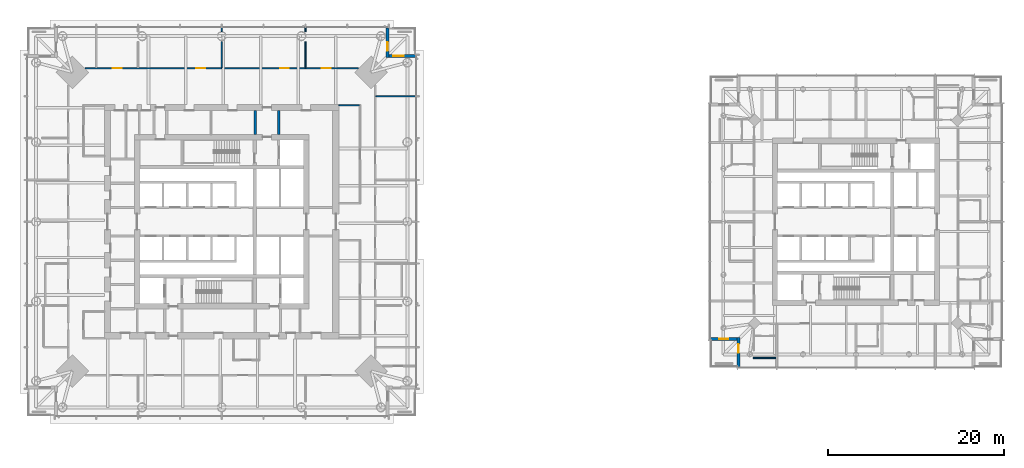
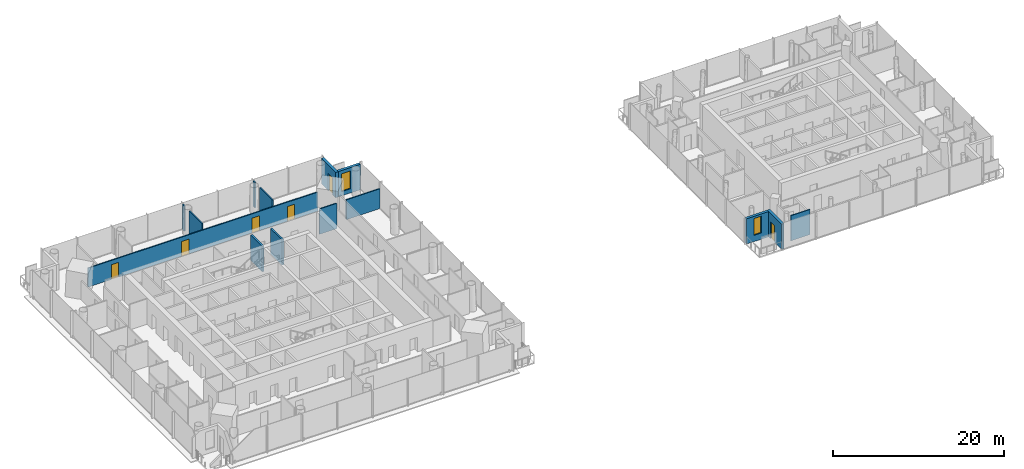
# One storey, part 12 of 27: 14 walls, 6 doors, 2 windows, 8 openings.
"""IFC4 building model written with IfcOpenShell, lengths in metres."""

import ifcopenshell
import ifcopenshell.guid

model = None  # the IFC model being written
_history = None  # IfcOwnerHistory: only IFC2X3 demands one
_inside = {}  # id of a spatial element -> (the spatial element, [elements in it])
_under = {}  # id of a project, library or spatial element -> (it, [spatial elements below it])
_declared = {}  # id of a project -> (the project, [libraries it declares])
_typed = {}  # id of a type object -> (the type object, [elements of that type])
_made_of = {}  # id of a material, layer set ... -> (it, [elements and type objects made of it])


def new_model(schema):
    """Start an empty IFC model of exactly this schema.

    Asked for "IFC4X3", IfcOpenShell would pick the latest addendum, in which some entities
    have other attributes; the version numbers below select the first issue.
    IFC2X3 requires an IfcOwnerHistory on every rooted entity: one is made here for all.
    """
    global model, _history
    if schema == "IFC4X3":
        model = ifcopenshell.file(schema_version=(4, 3, 0, 0))
    else:
        model = ifcopenshell.file(schema=schema)
    _inside.clear()
    _under.clear()
    _declared.clear()
    _typed.clear()
    _made_of.clear()
    _history = None
    if model.schema == "IFC2X3":
        org = make("IfcOrganization", Name="unknown")
        user = make(
            "IfcPersonAndOrganization",
            ThePerson=make("IfcPerson", FamilyName="unknown"),
            TheOrganization=org,
        )
        app = make(
            "IfcApplication",
            ApplicationDeveloper=org,
            Version="unknown",
            ApplicationFullName="unknown",
            ApplicationIdentifier="unknown",
        )
        _history = make(
            "IfcOwnerHistory",
            OwningUser=user,
            OwningApplication=app,
            ChangeAction="ADDED",
            CreationDate=0,
        )
    return model


def make(cls, **values):
    """One entity of the class cls with the attributes given. An attribute that is None is left unset."""
    return model.create_entity(
        cls, **{name: value for name, value in values.items() if value is not None}
    )


def rooted(cls, **values):
    """An entity with a GlobalId (a new one), such as an element, a storey or a relation."""
    return make(cls, GlobalId=ifcopenshell.guid.new(), OwnerHistory=_history, **values)


def si_unit(unit_type, name, prefix=None):
    """IfcSIUnit, for example si_unit("LENGTHUNIT", "METRE", prefix="MILLI")."""
    return make("IfcSIUnit", UnitType=unit_type, Prefix=prefix, Name=name)


def assignment(units):
    """IfcUnitAssignment: the units of a project."""
    return None if units is None else make("IfcUnitAssignment", Units=units)


def point(xyz):
    """IfcCartesianPoint."""
    return None if xyz is None else make("IfcCartesianPoint", Coordinates=xyz)


def direction(xyz):
    """IfcDirection."""
    return None if xyz is None else make("IfcDirection", DirectionRatios=xyz)


def frame(location, z_axis=None, x_axis=None):
    """IfcAxis2Placement3D, a coordinate frame: its origin and axes. An axis left out is left unset."""
    return make(
        "IfcAxis2Placement3D",
        Location=point(location),
        Axis=direction(z_axis),
        RefDirection=direction(x_axis),
    )


def frame_2d(location, x_axis=None):
    """IfcAxis2Placement2D, a coordinate frame in the plane: its origin and x axis."""
    return make(
        "IfcAxis2Placement2D", Location=point(location), RefDirection=direction(x_axis)
    )


def origin():
    """The frame at (0, 0, 0) with its axes left unset."""
    return frame((0.0, 0.0, 0.0))


def place(relative_to, where):
    """IfcLocalPlacement: puts the frame where relative to a parent placement (None: the world)."""
    return make(
        "IfcLocalPlacement", PlacementRelTo=relative_to, RelativePlacement=where
    )


def context(
    kind, dimensions, precision=None, world=None, true_north=None, identifier=None
):
    """IfcGeometricRepresentationContext, for example the 3D "Model" context."""
    return make(
        "IfcGeometricRepresentationContext",
        ContextIdentifier=identifier,
        ContextType=kind,
        CoordinateSpaceDimension=dimensions,
        Precision=precision,
        WorldCoordinateSystem=world,
        TrueNorth=true_north,
    )


def subcontext(parent, identifier, kind, view, scale=None):
    """IfcGeometricRepresentationSubContext, for example "Body" below "Model"."""
    return make(
        "IfcGeometricRepresentationSubContext",
        ContextIdentifier=identifier,
        ContextType=kind,
        ParentContext=parent,
        TargetScale=scale,
        TargetView=view,
    )


def project(units=None, contexts=None):
    """IfcProject with its units and contexts."""
    return rooted(
        "IfcProject",
        Name="project",
        RepresentationContexts=contexts,
        UnitsInContext=assignment(units),
    )


def spatial(cls, under=None, at=None, **own):
    """A site, building, storey or space (cls), placed at a placement, below another one or the project."""
    s = rooted(cls, ObjectPlacement=at, **own)
    if under is not None:
        _under.setdefault(under.id(), (under, []))[1].append(s)
    return s


def profile(cls, at=None, kind="AREA", **sizes):
    """A parametric profile (cls). Its sizes go by their IFC names, for example OverallWidth=200.0."""
    return make(cls, ProfileType=kind, Position=at, **sizes)


def rectangle(**sizes):
    """IfcRectangleProfileDef."""
    return profile("IfcRectangleProfileDef", **sizes)


def extrude(swept, where, along, depth):
    """IfcExtrudedAreaSolid: the profile swept, set in the frame where, extruded along a direction by depth."""
    return make(
        "IfcExtrudedAreaSolid",
        SweptArea=swept,
        Position=where,
        ExtrudedDirection=direction(along),
        Depth=depth,
    )


def shape(context_of_items, identifier, shape_type, items):
    """IfcShapeRepresentation: the items that make up one representation, for example the "Body"."""
    return make(
        "IfcShapeRepresentation",
        ContextOfItems=context_of_items,
        RepresentationIdentifier=identifier,
        RepresentationType=shape_type,
        Items=items,
    )


def material(Name=None, Category=None):
    """IfcMaterial."""
    return make("IfcMaterial", Name=Name, Category=Category)


def layer(
    of_material, thickness, ventilated=None, Name=None, Category=None, Priority=None
):
    """IfcMaterialLayer: one layer of a wall or slab, of a material (None: an air gap)."""
    return make(
        "IfcMaterialLayer",
        Material=of_material,
        LayerThickness=thickness,
        IsVentilated=ventilated,
        Name=Name,
        Category=Category,
        Priority=Priority,
    )


def layer_set(layers, Name=None):
    """IfcMaterialLayerSet."""
    return make("IfcMaterialLayerSet", MaterialLayers=layers, LayerSetName=Name)


def made_of(thing, what):
    """Note that an element or type object is made of a material, layer set ...; save() writes the relation."""
    if what is not None:
        _made_of.setdefault(what.id(), (what, []))[1].append(thing)
    return thing


def type_object(cls, material=None, **own):
    """A type object (cls), such as IfcWallType, which elements share."""
    return made_of(rooted(cls, **own), material)


def element(
    cls,
    number,
    at=None,
    inside=None,
    cuts=None,
    type_object=None,
    material=None,
    context=None,
    identifier="Body",
    shape_type=None,
    held_by="IfcProductDefinitionShape",
    body=None,
    shapes=None,
    **own,
):
    """One element of the class cls, such as IfcWall. Its Tag is "e" and its number.

    at: its placement. inside: the storey or other place that contains it. cuts: it is an
    opening in that element (IfcRelVoidsElement). A single representation is given by context,
    identifier, shape_type and body (its items); several are given by shapes. held_by: the class
    of the entity that holds the representations. save() writes the other relations.
    """
    e = rooted(cls, Tag="e%d" % number, ObjectPlacement=at, **own)
    if body is not None:
        shapes = [shape(context, identifier, shape_type, body)]
    if shapes is not None:
        e.Representation = make(held_by, Representations=shapes)
    if inside is not None:
        _inside.setdefault(inside.id(), (inside, []))[1].append(e)
    if cuts is not None:
        rooted(
            "IfcRelVoidsElement", RelatingBuildingElement=cuts, RelatedOpeningElement=e
        )
    if type_object is not None:
        _typed.setdefault(type_object.id(), (type_object, []))[1].append(e)
    return made_of(e, material)


def fill(opening, filler):
    """IfcRelFillsElement: the door or window that sits in an opening."""
    return rooted(
        "IfcRelFillsElement",
        RelatingOpeningElement=opening,
        RelatedBuildingElement=filler,
    )


def aggregate(whole, parts):
    """IfcRelAggregates: a whole, such as a stair, and the parts it consists of."""
    return rooted("IfcRelAggregates", RelatingObject=whole, RelatedObjects=parts)


def save(model, path):
    """Write the relations noted so far, then the file.

    IfcRelAggregates (storeys below a building ...), IfcRelContainedInSpatialStructure (elements
    in a storey), IfcRelDefinesByType, IfcRelAssociatesMaterial and IfcRelDeclares: one each for
    every whole, place, type object, material and project.
    """
    for whole, parts in _under.values():
        aggregate(whole, parts)
    for where, things in _inside.values():
        rooted(
            "IfcRelContainedInSpatialStructure",
            RelatedElements=things,
            RelatingStructure=where,
        )
    for kind, things in _typed.values():
        rooted("IfcRelDefinesByType", RelatedObjects=things, RelatingType=kind)
    for what, things in _made_of.values():
        rooted("IfcRelAssociatesMaterial", RelatedObjects=things, RelatingMaterial=what)
    for by, libraries in _declared.values():
        rooted("IfcRelDeclares", RelatingContext=by, RelatedDefinitions=libraries)
    model.write(path)


model = new_model("IFC4")

# Units and contexts
model_context = context("Model", 3, precision=1e-05, world=origin(), true_north=direction((0.0, 1.0)))
body_context = subcontext(model_context, "Body", "Model", "MODEL_VIEW")
ifc_project = project(units=[si_unit("LENGTHUNIT", "METRE"), si_unit("AREAUNIT", "SQUARE_METRE"), si_unit("VOLUMEUNIT", "CUBIC_METRE"), si_unit("PLANEANGLEUNIT", "RADIAN"), si_unit("MASSUNIT", "GRAM", prefix="KILO")], contexts=[model_context])

# Site, building, storey
site_placement = place(None, origin())
site = spatial("IfcSite", under=ifc_project, at=site_placement, CompositionType="ELEMENT")
building_placement = place(site_placement, origin())
building = spatial("IfcBuilding", under=site, at=building_placement, Name="Ostroluk Exchange", CompositionType="ELEMENT")
storey_placement = place(building_placement, frame((0.0, 0.0, 112.199951171875)))
storey = spatial("IfcBuildingStorey", under=building, at=storey_placement, Name="L28", CompositionType="ELEMENT", Elevation=112.199951171875)

# Walls
ifc_material_1 = material(Name="Concrete blockwork", Category="masonry")
ifc_layer_1 = layer(ifc_material_1, 0.25)
ifc_layer_set_1 = layer_set([ifc_layer_1], Name="Blockwork stair enclosure wall 250")
wall_type_1 = type_object("IfcWallType", Name="Blockwork stair enclosure wall 250", PredefinedType="SOLIDWALL", material=ifc_layer_set_1)
for number, where, z_axis, x_axis, name in (
    (1, (48.804931640625, 55.89990234375, 0.0), (0.0, 0.0, 1.0), (0.0, 1.0, 0.0), "Fire lobby enclosure wall"),
    (2, (51.47509765625, 55.89990234375, 0.0), (0.0, 0.0, 1.0), (0.0, 1.0, 0.0), "Fire lobby enclosure wall"),
):
    element("IfcWall", number, at=place(storey_placement, frame(where, z_axis=z_axis, x_axis=x_axis)), inside=storey, type_object=wall_type_1, Name=name, PredefinedType="SOLIDWALL", context=body_context, shape_type="SweptSolid", body=[
        extrude(rectangle(XDim=2.7001953125, YDim=0.25, at=frame_2d((1.35009765625, 0.0))), origin(), (0.0, 0.0, 1.0), 3.6201171875),
    ])

# Wall, opening, door
ifc_material_2 = material(Name="Limestone", Category="masonry")
ifc_layer_2 = layer(ifc_material_2, 0.35009765625)
ifc_layer_set_2 = layer_set([ifc_layer_2], Name="Limestone facade wall 350")
wall_type_2 = type_object("IfcWallType", Name="Limestone facade wall 350", PredefinedType="SOLIDWALL", material=ifc_layer_set_2)
wall_1_placement = place(storey_placement, frame((63.824951171875, 68.0, 0.0), z_axis=(0.0, 0.0, 1.0), x_axis=(0.0, -1.0, 0.0)))
wall_1 = element("IfcWall", 3, at=wall_1_placement, inside=storey, type_object=wall_type_2, Name="Office tower NE corner wall L28 a", PredefinedType="SOLIDWALL", context=body_context, shape_type="SweptSolid", body=[
    extrude(rectangle(XDim=3.35009765625, YDim=0.35009765625, at=frame_2d((1.675048828125, 0.0))), origin(), (0.0, 0.0, 1.0), 3.6201171875),
])
opening_1_placement = place(wall_1_placement, frame((1.60009765625, 0.0, 0.0)))
opening_1 = element("IfcOpeningElement", 4, at=opening_1_placement, cuts=wall_1, Name="Opening D-B1", PredefinedType="OPENING", context=body_context, shape_type="SweptSolid", body=[
    extrude(rectangle(XDim=1.0, YDim=2.39990234375, at=frame_2d((0.5, 1.199951171875))), frame((0.0, 0.18505859375, 0.0), z_axis=(0.0, -1.0, 0.0), x_axis=(1.0, 0.0, 0.0)), (0.0, 0.0, 1.0), 0.3701171875),
])
ifc_material_3 = material(Name="Bronze framed glazed door", Category="aluminium")
door_type_1 = type_object("IfcDoorType", Name="Balcony door 1000 x 2400", OperationType="SINGLE_SWING_LEFT", PredefinedType="DOOR", material=ifc_material_3)
door_1_placement = place(opening_1_placement, origin())
door_1 = element("IfcDoor", 5, at=door_1_placement, inside=storey, type_object=door_type_1, Name="Office tower NE balcony door L28", OperationType="SINGLE_SWING_RIGHT", OverallHeight=2.39990234375, OverallWidth=1.0, PredefinedType="DOOR", context=body_context, shape_type="SweptSolid", body=[
    extrude(rectangle(XDim=1.0, YDim=2.39990234375, at=frame_2d((0.5, 1.199951171875))), frame((0.0, 0.02490234375, 0.0), z_axis=(0.0, -1.0, 0.0), x_axis=(1.0, 0.0, 0.0)), (0.0, 0.0, 1.0), 0.050048828125),
])
fill(opening_1, door_1)

# Wall, opening, window
wall_2_placement = place(storey_placement, frame((64.0, 64.824951171875, 0.0), z_axis=(0.0, 0.0, 1.0), x_axis=(1.0, 0.0, 0.0)))
wall_2 = element("IfcWall", 6, at=wall_2_placement, inside=storey, type_object=wall_type_2, Name="Office tower NE corner wall L28 b", PredefinedType="SOLIDWALL", context=body_context, shape_type="SweptSolid", body=[
    extrude(rectangle(XDim=3.0, YDim=0.35009765625, at=frame_2d((1.5, 0.0))), origin(), (0.0, 0.0, 1.0), 3.6201171875),
])
opening_2_placement = place(wall_2_placement, frame((0.449951171875, 0.0, 0.60009765625)))
opening_2 = element("IfcOpeningElement", 7, at=opening_2_placement, cuts=wall_2, Name="Opening WN-L1", PredefinedType="OPENING", context=body_context, shape_type="SweptSolid", body=[
    extrude(rectangle(XDim=1.199951171875, YDim=2.550048828125, at=frame_2d((0.60009765625, 1.27490234375))), frame((0.0, 0.18505859375, 0.0), z_axis=(0.0, -1.0, 0.0), x_axis=(1.0, 0.0, 0.0)), (0.0, 0.0, 1.0), 0.3701171875),
])
ifc_material_4 = material(Name="Laminated clear glass", Category="glass")
window_type_1 = type_object("IfcWindowType", Name="Lancet window 1200 x 2550", PartitioningType="SINGLE_PANEL", PredefinedType="WINDOW", material=ifc_material_4)
window_1_placement = place(opening_2_placement, origin())
window_1 = element("IfcWindow", 8, at=window_1_placement, inside=storey, type_object=window_type_1, Name="Office tower NE lancet window L28", OverallHeight=2.550048828125, OverallWidth=1.199951171875, PartitioningType="SINGLE_PANEL", PredefinedType="WINDOW", context=body_context, shape_type="SweptSolid", body=[
    extrude(rectangle(XDim=1.199951171875, YDim=2.550048828125, at=frame_2d((0.60009765625, 1.27490234375))), frame((0.0, 0.030029296875, 0.0), z_axis=(0.0, -1.0, 0.0), x_axis=(1.0, 0.0, 0.0)), (0.0, 0.0, 1.0), 0.06005859375),
])
fill(opening_2, window_1)

# Wall, opening, door
wall_3_placement = place(storey_placement, frame((103.675048828125, 29.5, 0.0), z_axis=(0.0, 0.0, 1.0), x_axis=(0.0, 1.0, 0.0)))
wall_3 = element("IfcWall", 9, at=wall_3_placement, inside=storey, type_object=wall_type_2, Name="Hotel tower SW corner wall L28 a", PredefinedType="SOLIDWALL", context=body_context, shape_type="SweptSolid", body=[
    extrude(rectangle(XDim=3.35009765625, YDim=0.35009765625, at=frame_2d((1.675048828125, 0.0))), origin(), (0.0, 0.0, 1.0), 3.60009765625),
])
opening_3_placement = place(wall_3_placement, frame((1.60009765625, 0.0, 0.0)))
opening_3 = element("IfcOpeningElement", 10, at=opening_3_placement, cuts=wall_3, Name="Opening D-B1", PredefinedType="OPENING", context=body_context, shape_type="SweptSolid", body=[
    extrude(rectangle(XDim=1.0, YDim=2.39990234375, at=frame_2d((0.5, 1.199951171875))), frame((0.0, 0.18505859375, 0.0), z_axis=(0.0, -1.0, 0.0), x_axis=(1.0, 0.0, 0.0)), (0.0, 0.0, 1.0), 0.3701171875),
])
door_2_placement = place(opening_3_placement, origin())
door_2 = element("IfcDoor", 11, at=door_2_placement, inside=storey, type_object=door_type_1, Name="Hotel tower SW balcony door L28", OperationType="SINGLE_SWING_RIGHT", OverallHeight=2.39990234375, OverallWidth=1.0, PredefinedType="DOOR", context=body_context, shape_type="SweptSolid", body=[
    extrude(rectangle(XDim=1.0, YDim=2.39990234375, at=frame_2d((0.5, 1.199951171875))), frame((0.0, 0.02490234375, 0.0), z_axis=(0.0, -1.0, 0.0), x_axis=(1.0, 0.0, 0.0)), (0.0, 0.0, 1.0), 0.050048828125),
])
fill(opening_3, door_2)

# Wall, opening, window
wall_4_placement = place(storey_placement, frame((103.5, 32.675048828125, 0.0), z_axis=(0.0, 0.0, 1.0), x_axis=(-1.0, 0.0, 0.0)))
wall_4 = element("IfcWall", 12, at=wall_4_placement, inside=storey, type_object=wall_type_2, Name="Hotel tower SW corner wall L28 b", PredefinedType="SOLIDWALL", context=body_context, shape_type="SweptSolid", body=[
    extrude(rectangle(XDim=3.0, YDim=0.35009765625, at=frame_2d((1.5, 0.0))), origin(), (0.0, 0.0, 1.0), 3.60009765625),
])
opening_4_placement = place(wall_4_placement, frame((1.0, 0.0, 0.89990234375)))
opening_4 = element("IfcOpeningElement", 13, at=opening_4_placement, cuts=wall_4, Name="Opening WN-L3", PredefinedType="OPENING", context=body_context, shape_type="SweptSolid", body=[
    extrude(rectangle(XDim=1.0, YDim=2.39990234375, at=frame_2d((0.5, 1.199951171875))), frame((0.0, 0.18505859375, 0.0), z_axis=(0.0, -1.0, 0.0), x_axis=(1.0, 0.0, 0.0)), (0.0, 0.0, 1.0), 0.3701171875),
])
ifc_material_5 = material(Name="Laminated clear glass", Category="glass")
window_type_2 = type_object("IfcWindowType", Name="Hotel lancet window 1000 x 2400", PartitioningType="SINGLE_PANEL", PredefinedType="WINDOW", material=ifc_material_5)
window_2_placement = place(opening_4_placement, origin())
window_2 = element("IfcWindow", 14, at=window_2_placement, inside=storey, type_object=window_type_2, Name="Hotel tower SW lancet window L28", OverallHeight=2.39990234375, OverallWidth=1.0, PartitioningType="SINGLE_PANEL", PredefinedType="WINDOW", context=body_context, shape_type="SweptSolid", body=[
    extrude(rectangle(XDim=1.0, YDim=2.39990234375, at=frame_2d((0.5, 1.199951171875))), frame((0.0, 0.030029296875, 0.0), z_axis=(0.0, -1.0, 0.0), x_axis=(1.0, 0.0, 0.0)), (0.0, 0.0, 1.0), 0.06005859375),
])
fill(opening_4, window_2)

# Walls
ifc_material_6 = material(Name="Gypsum plasterboard partition, moisture resistant", Category="gypsum")
ifc_layer_3 = layer(ifc_material_6, 0.1201171875)
ifc_layer_set_3 = layer_set([ifc_layer_3], Name="Plasterboard en-suite wall 120")
wall_type_3 = type_object("IfcWallType", Name="Plasterboard en-suite wall 120", PredefinedType="PARTITIONING", material=ifc_layer_set_3)
wall_5_placement = place(storey_placement, frame((107.89990234375, 30.530029296875, 0.0), z_axis=(0.0, 0.0, 1.0), x_axis=(-1.0, 0.0, 0.0)))
element("IfcWall", 15, at=wall_5_placement, inside=storey, type_object=wall_type_3, Name="En-suite wall", PredefinedType="PARTITIONING", context=body_context, shape_type="SweptSolid", body=[
    extrude(rectangle(XDim=2.579833984375, YDim=0.1201171875, at=frame_2d((1.2900390625, 0.0))), origin(), (0.0, 0.0, 1.0), 3.60009765625),
])
ifc_material_7 = material(Name="Gypsum plasterboard partition", Category="gypsum")
ifc_layer_4 = layer(ifc_material_7, 0.14990234375)
ifc_layer_set_4 = layer_set([ifc_layer_4], Name="Plasterboard partition 150")
wall_type_4 = type_object("IfcWallType", Name="Plasterboard partition 150", PredefinedType="PARTITIONING", material=ifc_layer_set_4)
wall_6_placement = place(storey_placement, frame((58.300048828125, 59.22509765625, 0.0), z_axis=(0.0, 0.0, 1.0), x_axis=(1.0, 0.0, 0.0)))
element("IfcWall", 16, at=wall_6_placement, inside=storey, type_object=wall_type_4, Name="Partition", PredefinedType="PARTITIONING", context=body_context, shape_type="SweptSolid", body=[
    extrude(rectangle(XDim=2.324951171875, YDim=0.14990234375, at=frame_2d((1.16259765625, 0.0))), origin(), (0.0, 0.0, 1.0), 3.6201171875),
])
wall_7_placement = place(storey_placement, frame((62.5, 60.25, 0.0), z_axis=(0.0, 0.0, 1.0), x_axis=(1.0, 0.0, 0.0)))
element("IfcWall", 17, at=wall_7_placement, inside=storey, type_object=wall_type_4, Name="Partition", PredefinedType="PARTITIONING", context=body_context, shape_type="SweptSolid", body=[
    extrude(rectangle(XDim=4.5400390625, YDim=0.14990234375, at=frame_2d((2.27001953125, 0.0))), origin(), (0.0, 0.0, 1.0), 2.820068359375),
])

# Wall, openings, doors
wall_8_placement = place(storey_placement, frame((60.511474609375, 63.425048828125, 0.0), z_axis=(0.0, 0.0, 1.0), x_axis=(-1.0, 0.0, 0.0)))
wall_8 = element("IfcWall", 18, at=wall_8_placement, inside=storey, type_object=wall_type_4, Name="Partition", PredefinedType="PARTITIONING", context=body_context, shape_type="SweptSolid", body=[
    extrude(rectangle(XDim=31.02294921875, YDim=0.14990234375, at=frame_2d((15.511474609375, 0.0))), origin(), (0.0, 0.0, 1.0), 2.719970703125),
])
opening_5_placement = place(wall_8_placement, frame((3.136474609375, 0.0, 0.0)))
opening_5 = element("IfcOpeningElement", 19, at=opening_5_placement, cuts=wall_8, Name="Opening D-03", PredefinedType="OPENING", context=body_context, shape_type="SweptSolid", body=[
    extrude(rectangle(XDim=1.0, YDim=2.10009765625, at=frame_2d((0.5, 1.050048828125))), frame((0.0, 0.0849609375, 0.0), z_axis=(0.0, -1.0, 0.0), x_axis=(1.0, 0.0, 0.0)), (0.0, 0.0, 1.0), 0.169921875),
])
opening_6_placement = place(wall_8_placement, frame((7.886474609375, 0.0, 0.0)))
opening_6 = element("IfcOpeningElement", 20, at=opening_6_placement, cuts=wall_8, Name="Opening D-03", PredefinedType="OPENING", context=body_context, shape_type="SweptSolid", body=[
    extrude(rectangle(XDim=1.0, YDim=2.10009765625, at=frame_2d((0.5, 1.050048828125))), frame((0.0, 0.0849609375, 0.0), z_axis=(0.0, -1.0, 0.0), x_axis=(1.0, 0.0, 0.0)), (0.0, 0.0, 1.0), 0.169921875),
])
opening_7_placement = place(wall_8_placement, frame((17.386474609375, 0.0, 0.0)))
opening_7 = element("IfcOpeningElement", 21, at=opening_7_placement, cuts=wall_8, Name="Opening D-03", PredefinedType="OPENING", context=body_context, shape_type="SweptSolid", body=[
    extrude(rectangle(XDim=1.0, YDim=2.10009765625, at=frame_2d((0.5, 1.050048828125))), frame((0.0, 0.0849609375, 0.0), z_axis=(0.0, -1.0, 0.0), x_axis=(1.0, 0.0, 0.0)), (0.0, 0.0, 1.0), 0.169921875),
])
opening_8_placement = place(wall_8_placement, frame((26.886474609375, 0.0, 0.0)))
opening_8 = element("IfcOpeningElement", 22, at=opening_8_placement, cuts=wall_8, Name="Opening D-03", PredefinedType="OPENING", context=body_context, shape_type="SweptSolid", body=[
    extrude(rectangle(XDim=1.0, YDim=2.10009765625, at=frame_2d((0.5, 1.050048828125))), frame((0.0, 0.0849609375, 0.0), z_axis=(0.0, -1.0, 0.0), x_axis=(1.0, 0.0, 0.0)), (0.0, 0.0, 1.0), 0.169921875),
])
ifc_material_8 = material(Name="Timber", Category="wood")
door_type_2 = type_object("IfcDoorType", Name="Internal door 1000 x 2100", OperationType="SINGLE_SWING_LEFT", PredefinedType="DOOR", material=ifc_material_8)
door_3_placement = place(opening_5_placement, origin())
door_3 = element("IfcDoor", 23, at=door_3_placement, inside=storey, type_object=door_type_2, Name="Office suite door", OperationType="SINGLE_SWING_LEFT", OverallHeight=2.10009765625, OverallWidth=1.0, PredefinedType="DOOR", context=body_context, shape_type="SweptSolid", body=[
    extrude(rectangle(XDim=1.0, YDim=2.10009765625, at=frame_2d((0.5, 1.050048828125))), frame((0.0, 0.02490234375, 0.0), z_axis=(0.0, -1.0, 0.0), x_axis=(1.0, 0.0, 0.0)), (0.0, 0.0, 1.0), 0.050048828125),
])
fill(opening_5, door_3)
door_4_placement = place(opening_6_placement, origin())
door_4 = element("IfcDoor", 24, at=door_4_placement, inside=storey, type_object=door_type_2, Name="Office door", OperationType="SINGLE_SWING_LEFT", OverallHeight=2.10009765625, OverallWidth=1.0, PredefinedType="DOOR", context=body_context, shape_type="SweptSolid", body=[
    extrude(rectangle(XDim=1.0, YDim=2.10009765625, at=frame_2d((0.5, 1.050048828125))), frame((0.0, 0.02490234375, 0.0), z_axis=(0.0, -1.0, 0.0), x_axis=(1.0, 0.0, 0.0)), (0.0, 0.0, 1.0), 0.050048828125),
])
fill(opening_6, door_4)
door_5_placement = place(opening_7_placement, origin())
door_5 = element("IfcDoor", 25, at=door_5_placement, inside=storey, type_object=door_type_2, Name="Office door", OperationType="SINGLE_SWING_RIGHT", OverallHeight=2.10009765625, OverallWidth=1.0, PredefinedType="DOOR", context=body_context, shape_type="SweptSolid", body=[
    extrude(rectangle(XDim=1.0, YDim=2.10009765625, at=frame_2d((0.5, 1.050048828125))), frame((0.0, 0.02490234375, 0.0), z_axis=(0.0, -1.0, 0.0), x_axis=(1.0, 0.0, 0.0)), (0.0, 0.0, 1.0), 0.050048828125),
])
fill(opening_7, door_5)
door_6_placement = place(opening_8_placement, origin())
door_6 = element("IfcDoor", 26, at=door_6_placement, inside=storey, type_object=door_type_2, Name="Office door", OperationType="SINGLE_SWING_RIGHT", OverallHeight=2.10009765625, OverallWidth=1.0, PredefinedType="DOOR", context=body_context, shape_type="SweptSolid", body=[
    extrude(rectangle(XDim=1.0, YDim=2.10009765625, at=frame_2d((0.5, 1.050048828125))), frame((0.0, 0.02490234375, 0.0), z_axis=(0.0, -1.0, 0.0), x_axis=(1.0, 0.0, 0.0)), (0.0, 0.0, 1.0), 0.050048828125),
])
fill(opening_8, door_6)

# Walls
wall_9_placement = place(storey_placement, frame((54.5, 63.5, 0.0), z_axis=(0.0, 0.0, 1.0), x_axis=(0.0, 1.0, 0.0)))
element("IfcWall", 27, at=wall_9_placement, inside=storey, type_object=wall_type_4, Name="Partition", PredefinedType="PARTITIONING", context=body_context, shape_type="SweptSolid", body=[
    extrude(rectangle(XDim=2.956298828125, YDim=0.14990234375, at=frame_2d((1.47802734375, 0.0))), origin(), (0.0, 0.0, 1.0), 3.6201171875),
])
wall_10_placement = place(storey_placement, frame((54.5, 67.59375, 0.0), z_axis=(0.0, 0.0, 1.0), x_axis=(0.0, 1.0, 0.0)))
element("IfcWall", 28, at=wall_10_placement, inside=storey, type_object=wall_type_4, Name="Partition", PredefinedType="PARTITIONING", context=body_context, shape_type="SweptSolid", body=[
    extrude(rectangle(XDim=0.4462890625, YDim=0.14990234375, at=frame_2d((0.22314453125, 0.0))), origin(), (0.0, 0.0, 1.0), 3.6201171875),
])
wall_11_placement = place(storey_placement, frame((45.0, 63.5, 0.0), z_axis=(0.0, 0.0, 1.0), x_axis=(0.0, 1.0, 0.0)))
element("IfcWall", 29, at=wall_11_placement, inside=storey, type_object=wall_type_4, Name="Partition", PredefinedType="PARTITIONING", context=body_context, shape_type="SweptSolid", body=[
    extrude(rectangle(XDim=2.956298828125, YDim=0.14990234375, at=frame_2d((1.47802734375, 0.0))), origin(), (0.0, 0.0, 1.0), 3.6201171875),
])
wall_12_placement = place(storey_placement, frame((45.0, 67.59375, 0.0), z_axis=(0.0, 0.0, 1.0), x_axis=(0.0, 1.0, 0.0)))
element("IfcWall", 30, at=wall_12_placement, inside=storey, type_object=wall_type_4, Name="Partition", PredefinedType="PARTITIONING", context=body_context, shape_type="SweptSolid", body=[
    extrude(rectangle(XDim=0.4462890625, YDim=0.14990234375, at=frame_2d((0.22314453125, 0.0))), origin(), (0.0, 0.0, 1.0), 3.6201171875),
])

save(model, "model.ifc")
